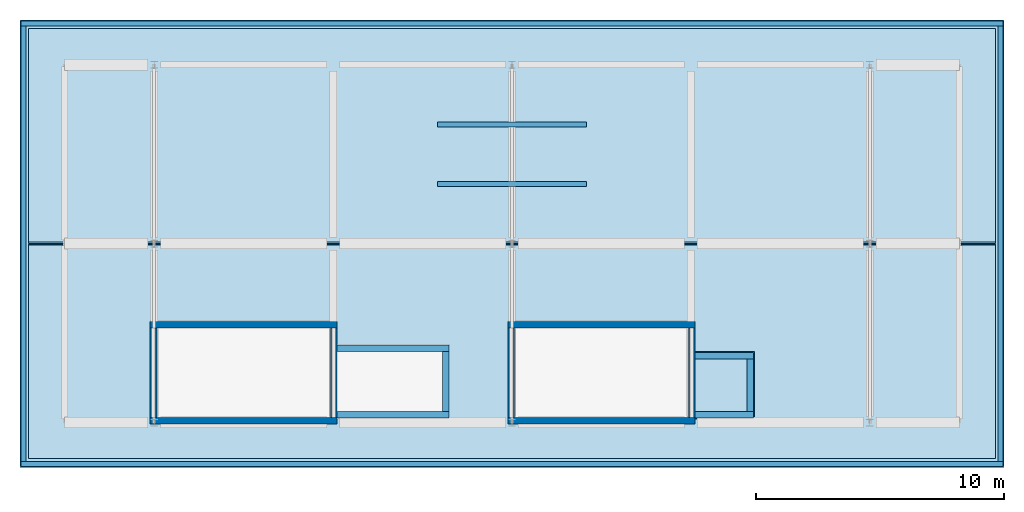
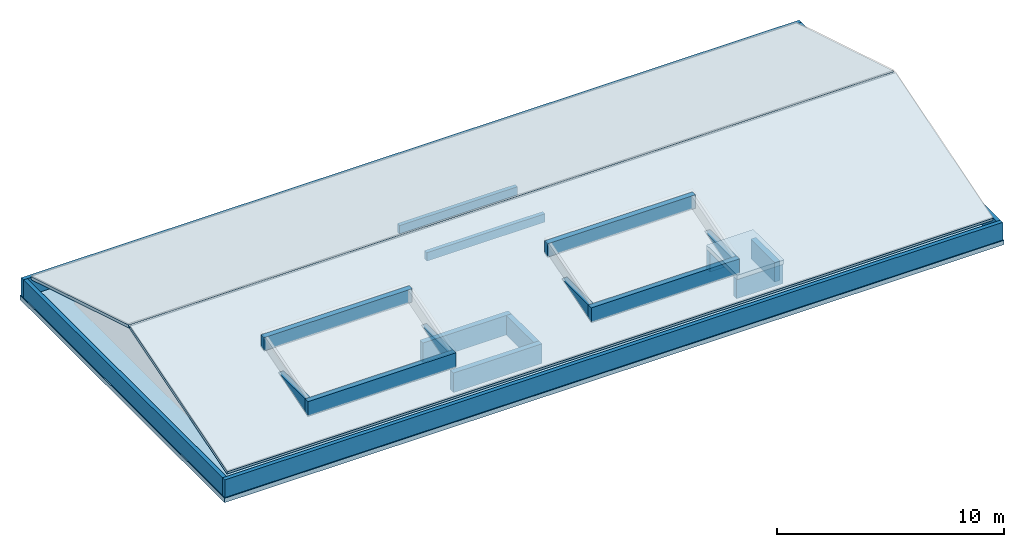
# One storey, part 2 of 3: 20 walls, 4 slabs.
"""IFC4 building model written with IfcOpenShell, lengths in metres."""

from ifc_helpers import new_model, si_unit, direction, frame, frame_2d, origin, place, context, subcontext, project, spatial, polyline, rectangle, outline, extrude, material, layer, layer_set, type_object, element, save


model = new_model("IFC4")

# Units and contexts
model_context = context("Model", 3, precision=1e-05, world=origin(), true_north=direction((0.0, 1.0)))
body_context = subcontext(model_context, "Body", "Model", "MODEL_VIEW")
ifc_project = project(units=[si_unit("LENGTHUNIT", "METRE"), si_unit("AREAUNIT", "SQUARE_METRE"), si_unit("VOLUMEUNIT", "CUBIC_METRE"), si_unit("PLANEANGLEUNIT", "RADIAN"), si_unit("MASSUNIT", "GRAM", prefix="KILO")], contexts=[model_context])

# Site, building, storey
site_placement = place(None, origin())
site = spatial("IfcSite", under=ifc_project, at=site_placement, CompositionType="ELEMENT")
building_placement = place(site_placement, origin())
building = spatial("IfcBuilding", under=site, at=building_placement, Name="Suanplinth Sawtooth Commons", CompositionType="ELEMENT")
storey_placement = place(building_placement, frame((0.0, 0.0, 54.10009765625)))
storey = spatial("IfcBuildingStorey", under=building, at=storey_placement, Name="RF", CompositionType="ELEMENT", Elevation=54.10009765625)

# Slabs
ifc_material_1 = material(Name="Concrete C40/50", Category="concrete")
ifc_layer_1 = layer(ifc_material_1, 0.22998046875, Name="Reinforced concrete lift overrun roof slab 230mm")
ifc_layer_set_1 = layer_set([ifc_layer_1], Name="Concrete C40/50")
slab_type_1 = type_object("IfcSlabType", Name="S-OR01", PredefinedType="ROOF", material=ifc_layer_set_1)
slab_1_placement = place(storey_placement, frame((0.0, 0.0, 1.0498046875)))
element("IfcSlab", 1, at=slab_1_placement, inside=storey, type_object=slab_type_1, Name="Lift Overrun Roof Slab LF2", PredefinedType="ROOF", context=body_context, shape_type="SweptSolid", body=[
    extrude(outline(polyline([(64.965087890625, 108.14990234375), (67.35009765625, 108.14990234375), (67.35009765625, 110.85009765625), (64.965087890625, 110.85009765625), (64.965087890625, 108.14990234375)])), origin(), (0.0, 0.0, 1.0), 0.22998046875),
])
ifc_material_2 = material(Name="Precast concrete C40/50", Category="concrete")
ifc_layer_2 = layer(ifc_material_2, 0.239990234375, Name="Residential block insulated roof slab 240mm")
ifc_layer_set_2 = layer_set([ifc_layer_2], Name="Precast concrete C40/50")
slab_type_2 = type_object("IfcSlabType", Name="S-RF01", PredefinedType="ROOF", material=ifc_layer_set_2)
slab_2_placement = place(storey_placement, frame((0.0, 0.0, -0.239990234375)))
element("IfcSlab", 2, at=slab_2_placement, inside=storey, type_object=slab_type_2, Name="RF Block A Tropical Overhanging Roof Slab", PredefinedType="ROOF", context=body_context, shape_type="SweptSolid", body=[
    extrude(outline(polyline([(37.800048828125, 106.199951171875), (37.800048828125, 124.199951171875), (77.39990234375, 124.199951171875), (77.39990234375, 106.199951171875), (37.800048828125, 106.199951171875)])), origin(), (0.0, 0.0, 1.0), 0.239990234375),
])
ifc_material_3 = material(Name="Concrete C35/45", Category="concrete")
ifc_layer_3 = layer(ifc_material_3, 0.159912109375, Name="Market gable & breezeway canopy roof slab 160mm")
ifc_layer_set_3 = layer_set([ifc_layer_3], Name="Concrete C35/45")
slab_type_3 = type_object("IfcSlabType", Name="S-RF03", PredefinedType="ROOF", material=ifc_layer_set_3)
slab_3_placement = place(storey_placement, frame((38.14990234375, 106.550048828125, 1.08984375), z_axis=(0.0, -0.290734147069, 0.956803875268), x_axis=(1.0, 0.0, 0.0)))
element("IfcSlab", 3, at=slab_3_placement, inside=storey, type_object=slab_type_3, Name="RF Block A Tropical Crown South Slope", PredefinedType="ROOF", context=body_context, shape_type="SweptSolid", body=[
    extrude(outline(polyline([(0.0, 0.0), (38.900146484375, 0.0), (38.900146484375, 8.977643143004796), (0.0, 8.977643143004796), (0.0, 0.0)])), origin(), (0.0, 0.0, -1.0), 0.159912109375),
])
slab_4_placement = place(storey_placement, frame((38.14990234375, 123.85009765625, 1.08984375), z_axis=(0.0, 0.290726582471, 0.956806173812), x_axis=(1.0, 0.0, 0.0)))
element("IfcSlab", 4, at=slab_4_placement, inside=storey, type_object=slab_type_3, Name="RF Block A Tropical Crown North Slope", PredefinedType="ROOF", context=body_context, shape_type="SweptSolid", body=[
    extrude(outline(polyline([(0.0, 0.0), (38.900146484375, 0.0), (38.900146484375, -8.977876737981493), (0.0, -8.977876737981493), (0.0, 0.0)])), origin(), (0.0, 0.0, -1.0), 0.159912109375),
])

# Walls
ifc_layer_4 = layer(ifc_material_2, 0.199951171875, Name="Roof perimeter precast parapet wall 200mm")
ifc_layer_set_4 = layer_set([ifc_layer_4], Name="Precast concrete C40/50")
wall_type_1 = type_object("IfcWallType", Name="W-PR01", PredefinedType="PARAPET", material=ifc_layer_set_4)
wall_1_placement = place(storey_placement, frame((37.93994140625, 106.43994140625, 0.0), z_axis=(0.0, 0.0, 1.0), x_axis=(0.0, 1.0, 0.0)))
element("IfcWall", 5, at=wall_1_placement, inside=storey, type_object=wall_type_1, Name="RF Block A Overhanging Roof Edge Parapet 1", PredefinedType="PARAPET", context=body_context, shape_type="SweptSolid", body=[
    extrude(rectangle(XDim=17.52001953125, YDim=0.199951171875, at=frame_2d((8.760009765625, 0.0))), origin(), (0.0, 0.0, 1.0), 0.949951171875),
])
wall_2_placement = place(storey_placement, frame((37.840087890625, 124.06005859375, 0.0), z_axis=(0.0, 0.0, 1.0), x_axis=(1.0, 0.0, 0.0)))
element("IfcWall", 6, at=wall_2_placement, inside=storey, type_object=wall_type_1, Name="RF Block A Overhanging Roof Edge Parapet 2", PredefinedType="PARAPET", context=body_context, shape_type="SweptSolid", body=[
    extrude(rectangle(XDim=39.52001953125, YDim=0.199951171875, at=frame_2d((19.760009765625, 0.0))), origin(), (0.0, 0.0, 1.0), 0.949951171875),
])
wall_3_placement = place(storey_placement, frame((77.260009765625, 123.9599609375, 0.0), z_axis=(0.0, 0.0, 1.0), x_axis=(0.0, -1.0, 0.0)))
element("IfcWall", 7, at=wall_3_placement, inside=storey, type_object=wall_type_1, Name="RF Block A Overhanging Roof Edge Parapet 3", PredefinedType="PARAPET", context=body_context, shape_type="SweptSolid", body=[
    extrude(rectangle(XDim=17.52001953125, YDim=0.199951171875, at=frame_2d((8.760009765625, 0.0))), origin(), (0.0, 0.0, 1.0), 0.949951171875),
])
wall_4_placement = place(storey_placement, frame((77.360107421875, 106.340087890625, 0.0), z_axis=(0.0, 0.0, 1.0), x_axis=(-1.0, 0.0, 0.0)))
element("IfcWall", 8, at=wall_4_placement, inside=storey, type_object=wall_type_1, Name="RF Block A Overhanging Roof Edge Parapet 4", PredefinedType="PARAPET", context=body_context, shape_type="SweptSolid", body=[
    extrude(rectangle(XDim=39.52001953125, YDim=0.199951171875, at=frame_2d((19.760009765625, 0.0))), origin(), (0.0, 0.0, 1.0), 0.949951171875),
])
for number, where, z_axis, x_axis, name in (
    (9, (54.60009765625, 117.60009765625, 0.0), (0.0, 0.0, 1.0), (1.0, 0.0, 0.0), "RF Block A Roof Solar Upstand Kerb 1"),
    (10, (54.60009765625, 120.0, 0.0), (0.0, 0.0, 1.0), (1.0, 0.0, 0.0), "RF Block A Roof Solar Upstand Kerb 2"),
):
    element("IfcWall", number, at=place(storey_placement, frame(where, z_axis=z_axis, x_axis=x_axis)), inside=storey, type_object=wall_type_1, Name=name, PredefinedType="PARAPET", context=body_context, shape_type="SweptSolid", body=[
        extrude(rectangle(XDim=6.0, YDim=0.199951171875, at=frame_2d((3.0, 0.0))), origin(), (0.0, 0.0, 1.0), 0.449951171875),
    ])
ifc_layer_5 = layer(ifc_material_2, 0.27001953125, Name="Exterior lift-overrun structural shear wall 270mm")
ifc_layer_set_5 = layer_set([ifc_layer_5], Name="Precast concrete C40/50")
wall_type_2 = type_object("IfcWallType", Name="W-SH02", PredefinedType="SHEAR", material=ifc_layer_set_5)
wall_5_placement = place(storey_placement, frame((43.034912109375, 108.070068359375, 0.0), z_axis=(0.0, 0.0, 1.0), x_axis=(1.0, 0.0, 0.0)))
element("IfcWall", 11, at=wall_5_placement, inside=storey, type_object=wall_type_2, Name="Stair ST-N1 Headhouse Wall S", PredefinedType="SHEAR", context=body_context, shape_type="SweptSolid", body=[
    extrude(rectangle(XDim=7.530029296875, YDim=0.27001953125, at=frame_2d((3.76513671875, 0.0))), origin(), (0.0, 0.0, 1.0), 2.2998046875),
])
wall_6_placement = place(storey_placement, frame((43.034912109375, 111.929931640625, 0.0), z_axis=(0.0, 0.0, 1.0), x_axis=(1.0, 0.0, 0.0)))
element("IfcWall", 12, at=wall_6_placement, inside=storey, type_object=wall_type_2, Name="Stair ST-N1 Headhouse Wall N", PredefinedType="SHEAR", context=body_context, shape_type="SweptSolid", body=[
    extrude(rectangle(XDim=7.530029296875, YDim=0.27001953125, at=frame_2d((3.76513671875, 0.0))), origin(), (0.0, 0.0, 1.0), 3.39990234375),
])
for number, where, z_axis, x_axis, name in (
    (13, (43.169921875, 108.205078125, 0.0), (0.0, 0.0, 1.0), (0.0, 1.0, 0.0), "Stair ST-N1 Headhouse Wall W"),
    (14, (50.429931640625, 108.205078125, 0.0), (0.0, 0.0, 1.0), (0.0, 1.0, 0.0), "Stair ST-N1 Headhouse Wall E"),
):
    element("IfcWall", number, at=place(storey_placement, frame(where, z_axis=z_axis, x_axis=x_axis)), inside=storey, type_object=wall_type_2, Name=name, PredefinedType="SHEAR", context=body_context, shape_type="SweptSolid", body=[
        extrude(rectangle(XDim=3.58984375, YDim=0.27001953125, at=frame_2d((1.794921875, 0.0))), origin(), (0.0, 0.0, 1.0), 2.2998046875),
    ])
wall_7_placement = place(storey_placement, frame((57.43505859375, 108.070068359375, 0.0), z_axis=(0.0, 0.0, 1.0), x_axis=(1.0, 0.0, 0.0)))
element("IfcWall", 15, at=wall_7_placement, inside=storey, type_object=wall_type_2, Name="Stair ST-N2 Headhouse Wall S", PredefinedType="SHEAR", context=body_context, shape_type="SweptSolid", body=[
    extrude(rectangle(XDim=7.530029296875, YDim=0.27001953125, at=frame_2d((3.76513671875, 0.0))), origin(), (0.0, 0.0, 1.0), 2.2998046875),
])
wall_8_placement = place(storey_placement, frame((57.43505859375, 111.929931640625, 0.0), z_axis=(0.0, 0.0, 1.0), x_axis=(1.0, 0.0, 0.0)))
element("IfcWall", 16, at=wall_8_placement, inside=storey, type_object=wall_type_2, Name="Stair ST-N2 Headhouse Wall N", PredefinedType="SHEAR", context=body_context, shape_type="SweptSolid", body=[
    extrude(rectangle(XDim=7.530029296875, YDim=0.27001953125, at=frame_2d((3.76513671875, 0.0))), origin(), (0.0, 0.0, 1.0), 3.39990234375),
])
for number, where, z_axis, x_axis, name in (
    (17, (57.570068359375, 108.205078125, 0.0), (0.0, 0.0, 1.0), (0.0, 1.0, 0.0), "Stair ST-N2 Headhouse Wall W"),
    (18, (64.830078125, 108.205078125, 0.0), (0.0, 0.0, 1.0), (0.0, 1.0, 0.0), "Stair ST-N2 Headhouse Wall E"),
):
    element("IfcWall", number, at=place(storey_placement, frame(where, z_axis=z_axis, x_axis=x_axis)), inside=storey, type_object=wall_type_2, Name=name, PredefinedType="SHEAR", context=body_context, shape_type="SweptSolid", body=[
        extrude(rectangle(XDim=3.58984375, YDim=0.27001953125, at=frame_2d((1.794921875, 0.0))), origin(), (0.0, 0.0, 1.0), 2.2998046875),
    ])
for number, where, z_axis, x_axis, name in (
    (19, (50.56494140625, 108.31494140625, 0.0), (0.0, 0.0, 1.0), (1.0, 0.0, 0.0), "Lift Overrun Wall FL1-LF1 S"),
    (20, (50.56494140625, 110.985107421875, 0.0), (0.0, 0.0, 1.0), (1.0, 0.0, 0.0), "Lift Overrun Wall FL1-LF1 N"),
):
    element("IfcWall", number, at=place(storey_placement, frame(where, z_axis=z_axis, x_axis=x_axis)), inside=storey, type_object=wall_type_2, Name=name, PredefinedType="SHEAR", context=body_context, shape_type="SweptSolid", body=[
        extrude(rectangle(XDim=4.505126953125, YDim=0.27001953125, at=frame_2d((2.25244140625, 0.0))), origin(), (0.0, 0.0, 1.0), 1.0498046875),
    ])
wall_9_placement = place(storey_placement, frame((54.93505859375, 108.449951171875, 0.0), z_axis=(0.0, 0.0, 1.0), x_axis=(0.0, 1.0, 0.0)))
element("IfcWall", 21, at=wall_9_placement, inside=storey, type_object=wall_type_2, Name="Lift Overrun Wall FL1-LF1 E", PredefinedType="SHEAR", context=body_context, shape_type="SweptSolid", body=[
    extrude(rectangle(XDim=2.400146484375, YDim=0.27001953125, at=frame_2d((1.2001953125, 0.0))), origin(), (0.0, 0.0, 1.0), 1.0498046875),
])
for number, where, z_axis, x_axis, name in (
    (22, (64.965087890625, 108.31494140625, 0.0), (0.0, 0.0, 1.0), (1.0, 0.0, 0.0), "Lift Overrun Wall LF2 S"),
    (23, (64.965087890625, 110.68505859375, 0.0), (0.0, 0.0, 1.0), (1.0, 0.0, 0.0), "Lift Overrun Wall LF2 N"),
):
    element("IfcWall", number, at=place(storey_placement, frame(where, z_axis=z_axis, x_axis=x_axis)), inside=storey, type_object=wall_type_2, Name=name, PredefinedType="SHEAR", context=body_context, shape_type="SweptSolid", body=[
        extrude(rectangle(XDim=2.35498046875, YDim=0.27001953125, at=frame_2d((1.177490234375, 0.0))), origin(), (0.0, 0.0, 1.0), 1.0498046875),
    ])
wall_10_placement = place(storey_placement, frame((67.18505859375, 108.449951171875, 0.0), z_axis=(0.0, 0.0, 1.0), x_axis=(0.0, 1.0, 0.0)))
element("IfcWall", 24, at=wall_10_placement, inside=storey, type_object=wall_type_2, Name="Lift Overrun Wall LF2 E", PredefinedType="SHEAR", context=body_context, shape_type="SweptSolid", body=[
    extrude(rectangle(XDim=2.10009765625, YDim=0.27001953125, at=frame_2d((1.050048828125, 0.0))), origin(), (0.0, 0.0, 1.0), 1.0498046875),
])

save(model, "model.ifc")
